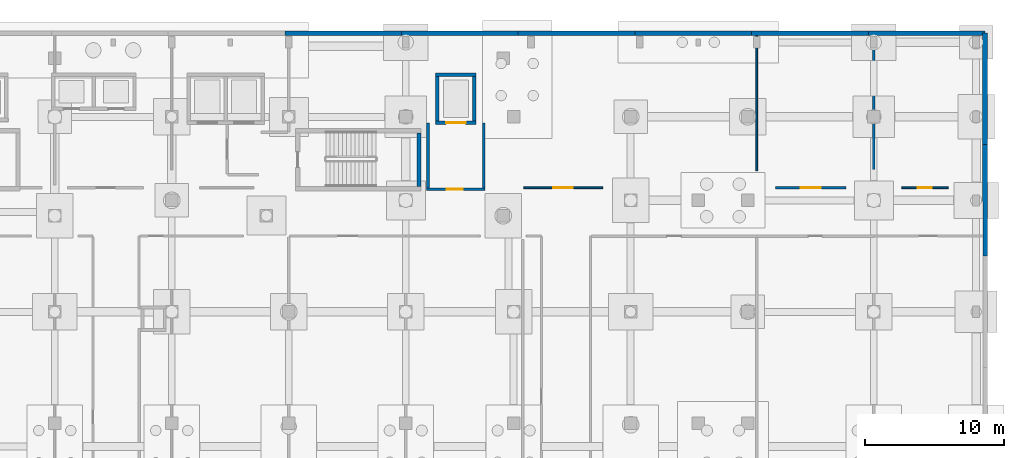
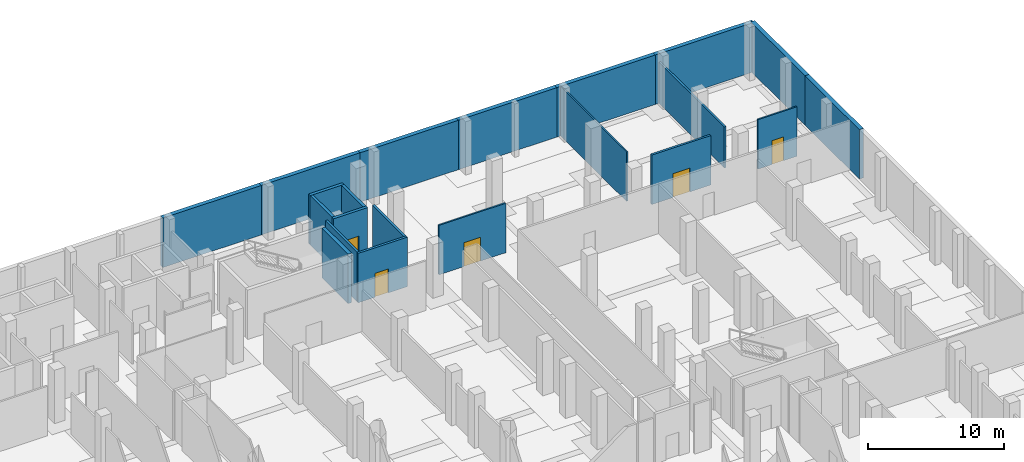
# One storey, part 38 of 45: 21 walls, 5 doors, 5 openings.
"""IFC4 building model written with IfcOpenShell, lengths in metres."""

from ifc_helpers import new_model, si_unit, direction, frame, frame_2d, origin, place, context, subcontext, project, spatial, rectangle, extrude, material, layer, layer_set, type_object, element, fill, save


model = new_model("IFC4")

# Units and contexts
model_context = context("Model", 3, precision=1e-05, world=origin(), true_north=direction((0.0, 1.0)))
body_context = subcontext(model_context, "Body", "Model", "MODEL_VIEW")
ifc_project = project(units=[si_unit("LENGTHUNIT", "METRE"), si_unit("AREAUNIT", "SQUARE_METRE"), si_unit("VOLUMEUNIT", "CUBIC_METRE"), si_unit("PLANEANGLEUNIT", "RADIAN"), si_unit("MASSUNIT", "GRAM", prefix="KILO")], contexts=[model_context])

# Site, building, storey
site_placement = place(None, origin())
site = spatial("IfcSite", under=ifc_project, at=site_placement, CompositionType="ELEMENT")
building_placement = place(site_placement, origin())
building = spatial("IfcBuilding", under=site, at=building_placement, Name="Selatvlak General Hospital", CompositionType="ELEMENT")
storey_placement = place(building_placement, frame((0.0, 0.0, -4.800048828125)))
storey = spatial("IfcBuildingStorey", under=building, at=storey_placement, Name="B1", CompositionType="ELEMENT", Elevation=-4.800048828125)

# Walls
ifc_material_1 = material(Name="Concrete C45/55", Category="concrete")
ifc_layer_1 = layer(ifc_material_1, 0.35009765625, Name="Concrete C45/55", Category="concrete")
ifc_layer_set_1 = layer_set([ifc_layer_1], Name="Concrete C45/55")
wall_type_1 = type_object("IfcWallType", Name="WALL-EW-05", PredefinedType="SHEAR", material=ifc_layer_set_1)
wall_1_placement = place(storey_placement, frame((131.714111328125, 120.0, 0.0), z_axis=(0.0, 0.0, 1.0), x_axis=(1.0, 0.0, 0.0)))
element("IfcWall", 1, at=wall_1_placement, inside=storey, type_object=wall_type_1, Name="B1 retaining wall 0024", PredefinedType="SHEAR", context=body_context, shape_type="SweptSolid", body=[
    extrude(rectangle(XDim=8.3798828125, YDim=0.35009765625, at=frame_2d((4.18994140625, 0.0))), origin(), (0.0, 0.0, 1.0), 4.449951171875),
])
wall_2_placement = place(storey_placement, frame((140.093994140625, 120.0, 0.0), z_axis=(0.0, 0.0, 1.0), x_axis=(1.0, 0.0, 0.0)))
element("IfcWall", 2, at=wall_2_placement, inside=storey, type_object=wall_type_1, Name="B1 retaining wall 0025", PredefinedType="SHEAR", context=body_context, shape_type="SweptSolid", body=[
    extrude(rectangle(XDim=8.381103515625, YDim=0.35009765625, at=frame_2d((4.1904296875, 0.0))), origin(), (0.0, 0.0, 1.0), 4.449951171875),
])
wall_3_placement = place(storey_placement, frame((148.47509765625, 120.0, 0.0), z_axis=(0.0, 0.0, 1.0), x_axis=(1.0, 0.0, 0.0)))
element("IfcWall", 3, at=wall_3_placement, inside=storey, type_object=wall_type_1, Name="B1 retaining wall 0026", PredefinedType="SHEAR", context=body_context, shape_type="SweptSolid", body=[
    extrude(rectangle(XDim=8.380859375, YDim=0.35009765625, at=frame_2d((4.1904296875, 0.0))), origin(), (0.0, 0.0, 1.0), 4.449951171875),
])
wall_4_placement = place(storey_placement, frame((156.85595703125, 120.0, 0.0), z_axis=(0.0, 0.0, 1.0), x_axis=(1.0, 0.0, 0.0)))
element("IfcWall", 4, at=wall_4_placement, inside=storey, type_object=wall_type_1, Name="B1 retaining wall 0027", PredefinedType="SHEAR", context=body_context, shape_type="SweptSolid", body=[
    extrude(rectangle(XDim=8.381103515625, YDim=0.35009765625, at=frame_2d((4.1904296875, 0.0))), origin(), (0.0, 0.0, 1.0), 4.449951171875),
])
wall_5_placement = place(storey_placement, frame((165.237060546875, 120.0, 0.0), z_axis=(0.0, 0.0, 1.0), x_axis=(1.0, 0.0, 0.0)))
element("IfcWall", 5, at=wall_5_placement, inside=storey, type_object=wall_type_1, Name="B1 retaining wall 0028", PredefinedType="SHEAR", context=body_context, shape_type="SweptSolid", body=[
    extrude(rectangle(XDim=8.380859375, YDim=0.35009765625, at=frame_2d((4.1904296875, 0.0))), origin(), (0.0, 0.0, 1.0), 4.449951171875),
])
wall_6_placement = place(storey_placement, frame((173.617919921875, 120.0, 0.0), z_axis=(0.0, 0.0, 1.0), x_axis=(1.0, 0.0, 0.0)))
element("IfcWall", 6, at=wall_6_placement, inside=storey, type_object=wall_type_1, Name="B1 retaining wall 0029", PredefinedType="SHEAR", context=body_context, shape_type="SweptSolid", body=[
    extrude(rectangle(XDim=8.381103515625, YDim=0.35009765625, at=frame_2d((4.1904296875, 0.0))), origin(), (0.0, 0.0, 1.0), 4.449951171875),
])
wall_7_placement = place(storey_placement, frame((181.9990234375, 120.0, 0.0), z_axis=(0.0, 0.0, 1.0), x_axis=(0.0, -1.0, 0.0)))
element("IfcWall", 7, at=wall_7_placement, inside=storey, type_object=wall_type_1, Name="B1 retaining wall 0030", PredefinedType="SHEAR", context=body_context, shape_type="SweptSolid", body=[
    extrude(rectangle(XDim=8.0, YDim=0.35009765625, at=frame_2d((4.0, 0.0))), origin(), (0.0, 0.0, 1.0), 4.449951171875),
])
wall_8_placement = place(storey_placement, frame((181.9990234375, 112.0, 0.0), z_axis=(0.0, 0.0, 1.0), x_axis=(0.000122085215, -0.999999992548, 0.0)))
element("IfcWall", 8, at=wall_8_placement, inside=storey, type_object=wall_type_1, Name="B1 retaining wall 0031", PredefinedType="SHEAR", context=body_context, shape_type="SweptSolid", body=[
    extrude(rectangle(XDim=7.9990234375, YDim=0.35009765625, at=frame_2d((3.99951171875, 0.0))), origin(), (0.0, 0.0, 1.0), 4.449951171875),
])

# Wall, opening, door
ifc_material_2 = material(Name="Concrete C40/50", Category="concrete")
ifc_layer_2 = layer(ifc_material_2, 0.199951171875, Name="Concrete C40/50", Category="concrete")
ifc_layer_set_2 = layer_set([ifc_layer_2], Name="Concrete C40/50")
wall_type_2 = type_object("IfcWallType", Name="WALL-IW-02", PredefinedType="SOLIDWALL", material=ifc_layer_set_2)
wall_9_placement = place(storey_placement, frame((141.89990234375, 108.800048828125, 0.0), z_axis=(0.0, 0.0, 1.0), x_axis=(1.0, 0.0, 0.0)))
wall_9 = element("IfcWall", 9, at=wall_9_placement, inside=storey, type_object=wall_type_2, Name="Firefighting lobby C4 wall B1 S", PredefinedType="SOLIDWALL", context=body_context, shape_type="SweptSolid", body=[
    extrude(rectangle(XDim=4.2001953125, YDim=0.199951171875, at=frame_2d((2.10009765625, 0.0))), origin(), (0.0, 0.0, 1.0), 4.449951171875),
])
opening_1_placement = place(wall_9_placement, frame((1.425048828125, 0.0, 0.0)))
opening_1 = element("IfcOpeningElement", 10, at=opening_1_placement, cuts=wall_9, Name="Opening D-06", PredefinedType="OPENING", context=body_context, shape_type="SweptSolid", body=[
    extrude(rectangle(XDim=1.14990234375, YDim=2.14990234375, at=frame_2d((0.574951171875, 1.074951171875))), frame((0.0, 0.10986328125, 0.0), z_axis=(0.0, -1.0, 0.0), x_axis=(1.0, 0.0, 0.0)), (0.0, 0.0, 1.0), 0.219970703125),
])
ifc_material_3 = material(Name="Firefighting lobby fire door")
door_type_1 = type_object("IfcDoorType", Name="DOOR-D-06", OperationType="NOTDEFINED", PredefinedType="DOOR", material=ifc_material_3)
door_1_placement = place(opening_1_placement, origin())
door_1 = element("IfcDoor", 11, at=door_1_placement, inside=storey, type_object=door_type_1, Name="Firefighting lobby C4 door on B1", OperationType="SINGLE_SWING_LEFT", OverallHeight=2.14990234375, OverallWidth=1.14990234375, PredefinedType="DOOR", context=body_context, shape_type="SweptSolid", body=[
    extrude(rectangle(XDim=1.14990234375, YDim=2.14990234375, at=frame_2d((0.574951171875, 1.074951171875))), frame((0.0, 0.02490234375, 0.0), z_axis=(0.0, -1.0, 0.0), x_axis=(1.0, 0.0, 0.0)), (0.0, 0.0, 1.0), 0.050048828125),
])
fill(opening_1, door_1)

# Walls
for number, where, z_axis, x_axis, name in (
    (12, (146.0, 108.89990234375, 0.0), (0.0, 0.0, 1.0), (0.0, 1.0, 0.0), "Firefighting lobby C4 wall B1 E"),
    (13, (142.0, 113.550048828125, 0.0), (0.0, 0.0, 1.0), (0.0, -1.0, 0.0), "Firefighting lobby C4 wall B1 W"),
):
    element("IfcWall", number, at=place(storey_placement, frame(where, z_axis=z_axis, x_axis=x_axis)), inside=storey, type_object=wall_type_2, Name=name, PredefinedType="SOLIDWALL", context=body_context, shape_type="SweptSolid", body=[
        extrude(rectangle(XDim=4.650146484375, YDim=0.199951171875, at=frame_2d((2.3251953125, 0.0))), origin(), (0.0, 0.0, 1.0), 4.449951171875),
    ])

# Wall, opening, door
ifc_material_4 = material(Name="Acoustic gypsum stud partition")
ifc_layer_3 = layer(ifc_material_4, 0.179931640625, Name="Acoustic gypsum stud partition")
ifc_layer_set_3 = layer_set([ifc_layer_3], Name="Acoustic gypsum stud partition")
wall_type_3 = type_object("IfcWallType", Name="WALL-PT-01", PredefinedType="PARTITIONING", material=ifc_layer_set_3)
wall_10_placement = place(storey_placement, frame((171.989013671875, 108.909912109375, 0.0), z_axis=(0.0, 0.0, 1.0), x_axis=(-1.0, 0.0, 0.0)))
wall_10 = element("IfcWall", 14, at=wall_10_placement, inside=storey, type_object=wall_type_3, Name="B1 clinical partition PT-B1-0360", PredefinedType="PARTITIONING", context=body_context, shape_type="SweptSolid", body=[
    extrude(rectangle(XDim=5.028076171875, YDim=0.179931640625, at=frame_2d((2.51416015625, 0.0))), origin(), (0.0, 0.0, 1.0), 4.449951171875),
])
opening_2_placement = place(wall_10_placement, frame((1.7890625, 0.0, 0.0)))
opening_2 = element("IfcOpeningElement", 15, at=opening_2_placement, cuts=wall_10, Name="Opening D-12", PredefinedType="OPENING", context=body_context, shape_type="SweptSolid", body=[
    extrude(rectangle(XDim=1.449951171875, YDim=2.14990234375, at=frame_2d((0.72509765625, 1.074951171875))), frame((0.0, 0.099853515625, 0.0), z_axis=(0.0, -1.0, 0.0), x_axis=(1.0, 0.0, 0.0)), (0.0, 0.0, 1.0), 0.199951171875),
])
ifc_material_5 = material(Name="Isolation anteroom door")
door_type_2 = type_object("IfcDoorType", Name="DOOR-D-12", OperationType="NOTDEFINED", PredefinedType="DOOR", material=ifc_material_5)
door_2_placement = place(opening_2_placement, origin())
door_2 = element("IfcDoor", 16, at=door_2_placement, inside=storey, type_object=door_type_2, Name="B1 Hospital Dietary Kitchen 90 door", OperationType="SINGLE_SWING_LEFT", OverallHeight=2.14990234375, OverallWidth=1.449951171875, PredefinedType="DOOR", context=body_context, shape_type="SweptSolid", body=[
    extrude(rectangle(XDim=1.449951171875, YDim=2.14990234375, at=frame_2d((0.72509765625, 1.074951171875))), frame((0.0, 0.02490234375, 0.0), z_axis=(0.0, -1.0, 0.0), x_axis=(1.0, 0.0, 0.0)), (0.0, 0.0, 1.0), 0.050048828125),
])
fill(opening_2, door_2)

# Wall
ifc_layer_4 = layer(ifc_material_4, 0.1650390625, Name="Acoustic gypsum stud partition")
ifc_layer_set_4 = layer_set([ifc_layer_4], Name="Acoustic gypsum stud partition")
wall_type_4 = type_object("IfcWallType", Name="WALL-PT-02", PredefinedType="PARTITIONING", material=ifc_layer_set_4)
wall_11_placement = place(storey_placement, frame((174.0, 119.827880859375, 0.0), z_axis=(0.0, 0.0, 1.0), x_axis=(0.0, -1.0, 0.0)))
element("IfcWall", 17, at=wall_11_placement, inside=storey, type_object=wall_type_4, Name="B1 clinical partition PT-B1-0361", PredefinedType="PARTITIONING", context=body_context, shape_type="SweptSolid", body=[
    extrude(rectangle(XDim=9.617919921875, YDim=0.1650390625, at=frame_2d((4.80908203125, 0.0))), origin(), (0.0, 0.0, 1.0), 3.699951171875),
])

# Wall, opening, door
ifc_material_6 = material(Name="Moisture-resistant clinical partition")
ifc_layer_5 = layer(ifc_material_6, 0.135009765625, Name="Moisture-resistant clinical partition")
ifc_layer_set_5 = layer_set([ifc_layer_5], Name="Moisture-resistant clinical partition")
wall_type_5 = type_object("IfcWallType", Name="WALL-PT-04", PredefinedType="PARTITIONING", material=ifc_layer_set_5)
wall_12_placement = place(storey_placement, frame((154.5390625, 108.909912109375, 0.0), z_axis=(0.0, 0.0, 1.0), x_axis=(-1.0, 0.0, 0.0)))
wall_12 = element("IfcWall", 18, at=wall_12_placement, inside=storey, type_object=wall_type_5, Name="B1 clinical partition PT-B1-0358", PredefinedType="PARTITIONING", context=body_context, shape_type="SweptSolid", body=[
    extrude(rectangle(XDim=5.66796875, YDim=0.135009765625, at=frame_2d((2.833984375, 0.0))), origin(), (0.0, 0.0, 1.0), 4.449951171875),
])
opening_3_placement = place(wall_12_placement, frame((2.134033203125, 0.0, 0.0)))
opening_3 = element("IfcOpeningElement", 19, at=opening_3_placement, cuts=wall_12, Name="Opening D-11", PredefinedType="OPENING", context=body_context, shape_type="SweptSolid", body=[
    extrude(rectangle(XDim=1.39990234375, YDim=2.14990234375, at=frame_2d((0.699951171875, 1.074951171875))), frame((0.0, 0.077392578125, 0.0), z_axis=(0.0, -1.0, 0.0), x_axis=(1.0, 0.0, 0.0)), (0.0, 0.0, 1.0), 0.155029296875),
])
ifc_material_7 = material(Name="Inpatient suite bed door")
door_type_3 = type_object("IfcDoorType", Name="DOOR-D-11", OperationType="NOTDEFINED", PredefinedType="DOOR", material=ifc_material_7)
door_3_placement = place(opening_3_placement, origin())
door_3 = element("IfcDoor", 20, at=door_3_placement, inside=storey, type_object=door_type_3, Name="B1 Central Sterile Supply Department 89 door", OperationType="SINGLE_SWING_RIGHT", OverallHeight=2.14990234375, OverallWidth=1.39990234375, PredefinedType="DOOR", context=body_context, shape_type="SweptSolid", body=[
    extrude(rectangle(XDim=1.39990234375, YDim=2.14990234375, at=frame_2d((0.699951171875, 1.074951171875))), frame((0.0, 0.02490234375, 0.0), z_axis=(0.0, -1.0, 0.0), x_axis=(1.0, 0.0, 0.0)), (0.0, 0.0, 1.0), 0.050048828125),
])
fill(opening_3, door_3)

wall_13_placement = place(storey_placement, frame((179.339111328125, 108.909912109375, 0.0), z_axis=(0.0, 0.0, 1.0), x_axis=(-1.0, 0.0, 0.0)))
wall_13 = element("IfcWall", 21, at=wall_13_placement, inside=storey, type_object=wall_type_5, Name="B1 clinical partition PT-B1-0362", PredefinedType="PARTITIONING", context=body_context, shape_type="SweptSolid", body=[
    extrude(rectangle(XDim=3.328125, YDim=0.135009765625, at=frame_2d((1.6640625, 0.0))), origin(), (0.0, 0.0, 1.0), 4.449951171875),
])
opening_4_placement = place(wall_13_placement, frame((1.1640625, 0.0, 0.0)))
opening_4 = element("IfcOpeningElement", 22, at=opening_4_placement, cuts=wall_13, Name="Opening D-21", PredefinedType="OPENING", context=body_context, shape_type="SweptSolid", body=[
    extrude(rectangle(XDim=1.0, YDim=2.14990234375, at=frame_2d((0.5, 1.074951171875))), frame((0.0, 0.077392578125, 0.0), z_axis=(0.0, -1.0, 0.0), x_axis=(1.0, 0.0, 0.0)), (0.0, 0.0, 1.0), 0.155029296875),
])
ifc_material_8 = material(Name="Laboratory fire door")
door_type_4 = type_object("IfcDoorType", Name="DOOR-D-21", OperationType="NOTDEFINED", PredefinedType="DOOR", material=ifc_material_8)
door_4_placement = place(opening_4_placement, origin())
door_4 = element("IfcDoor", 23, at=door_4_placement, inside=storey, type_object=door_type_4, Name="B1 Bulk Pharmacy Store 91 door", OperationType="SINGLE_SWING_RIGHT", OverallHeight=2.14990234375, OverallWidth=1.0, PredefinedType="DOOR", context=body_context, shape_type="SweptSolid", body=[
    extrude(rectangle(XDim=1.0, YDim=2.14990234375, at=frame_2d((0.5, 1.074951171875))), frame((0.0, 0.02490234375, 0.0), z_axis=(0.0, -1.0, 0.0), x_axis=(1.0, 0.0, 0.0)), (0.0, 0.0, 1.0), 0.050048828125),
])
fill(opening_4, door_4)

# Walls
ifc_layer_6 = layer(ifc_material_6, 0.1201171875, Name="Moisture-resistant clinical partition")
ifc_layer_set_6 = layer_set([ifc_layer_6], Name="Moisture-resistant clinical partition")
wall_type_6 = type_object("IfcWallType", Name="WALL-PT-05", PredefinedType="PARTITIONING", material=ifc_layer_set_6)
wall_14_placement = place(storey_placement, frame((165.60009765625, 119.827880859375, 0.0), z_axis=(0.0, 0.0, 1.0), x_axis=(0.0, -1.0, 0.0)))
element("IfcWall", 24, at=wall_14_placement, inside=storey, type_object=wall_type_6, Name="B1 clinical partition PT-B1-0359", PredefinedType="PARTITIONING", context=body_context, shape_type="SweptSolid", body=[
    extrude(rectangle(XDim=9.7158203125, YDim=0.1201171875, at=frame_2d((4.85791015625, 0.0))), origin(), (0.0, 0.0, 1.0), 4.449951171875),
])
ifc_layer_7 = layer(ifc_material_1, 0.300048828125, Name="Concrete C45/55", Category="concrete")
ifc_layer_set_7 = layer_set([ifc_layer_7], Name="Concrete C45/55")
wall_type_7 = type_object("IfcWallType", Name="WALL-SW-02", PredefinedType="SHEAR", material=ifc_layer_set_7)
wall_15_placement = place(storey_placement, frame((141.360107421875, 108.989990234375, 0.0), z_axis=(0.0, 0.0, 1.0), x_axis=(0.0, 1.0, 0.0)))
element("IfcWall", 25, at=wall_15_placement, inside=storey, type_object=wall_type_7, Name="ST-04 core shear wall B1 E", PredefinedType="SHEAR", context=body_context, shape_type="SweptSolid", body=[
    extrude(rectangle(XDim=3.860107421875, YDim=0.300048828125, at=frame_2d((1.93017578125, 0.0))), origin(), (0.0, 0.0, 1.0), 4.449951171875),
])

# Wall, opening, door
ifc_layer_8 = layer(ifc_material_2, 0.25, Name="Concrete C40/50", Category="concrete")
ifc_layer_set_8 = layer_set([ifc_layer_8], Name="Concrete C40/50")
wall_type_8 = type_object("IfcWallType", Name="WALL-SW-03", PredefinedType="SHEAR", material=ifc_layer_set_8)
wall_16_placement = place(storey_placement, frame((142.550048828125, 113.574951171875, 0.0), z_axis=(0.0, 0.0, 1.0), x_axis=(1.0, 0.0, 0.0)))
wall_16 = element("IfcWall", 26, at=wall_16_placement, inside=storey, type_object=wall_type_8, Name="Lift LF-03 shaft wall B1 S", PredefinedType="SHEAR", context=body_context, shape_type="SweptSolid", body=[
    extrude(rectangle(XDim=2.89990234375, YDim=0.25, at=frame_2d((1.449951171875, 0.0))), origin(), (0.0, 0.0, 1.0), 4.449951171875),
])
opening_5_placement = place(wall_16_placement, frame((0.75, 0.0, 0.0)))
opening_5 = element("IfcOpeningElement", 27, at=opening_5_placement, cuts=wall_16, Name="Opening LD-F1", PredefinedType="OPENING", context=body_context, shape_type="SweptSolid", body=[
    extrude(rectangle(XDim=1.39990234375, YDim=2.14990234375, at=frame_2d((0.699951171875, 1.074951171875))), frame((0.0, 0.135009765625, 0.0), z_axis=(0.0, -1.0, 0.0), x_axis=(1.0, 0.0, 0.0)), (0.0, 0.0, 1.0), 0.27001953125),
])
ifc_material_9 = material(Name="Stainless steel fire lift landing door", Category="steel")
door_type_5 = type_object("IfcDoorType", Name="DOOR-LD-F1", OperationType="DOUBLE_DOOR_SLIDING", PredefinedType="DOOR", material=ifc_material_9)
door_5_placement = place(opening_5_placement, origin())
door_5 = element("IfcDoor", 28, at=door_5_placement, inside=storey, type_object=door_type_5, Name="Lift LF-03 sliding landing door on B1", OperationType="DOUBLE_DOOR_SLIDING", OverallHeight=2.14990234375, OverallWidth=1.39990234375, PredefinedType="DOOR", context=body_context, shape_type="SweptSolid", body=[
    extrude(rectangle(XDim=1.39990234375, YDim=2.14990234375, at=frame_2d((0.699951171875, 1.074951171875))), frame((0.0, 0.02490234375, 0.0), z_axis=(0.0, -1.0, 0.0), x_axis=(1.0, 0.0, 0.0)), (0.0, 0.0, 1.0), 0.050048828125),
])
fill(opening_5, door_5)

# Walls
wall_17_placement = place(storey_placement, frame((145.324951171875, 113.699951171875, 0.0), z_axis=(0.0, 0.0, 1.0), x_axis=(0.0, 1.0, 0.0)))
element("IfcWall", 29, at=wall_17_placement, inside=storey, type_object=wall_type_8, Name="Lift LF-03 shaft wall B1 E", PredefinedType="SHEAR", context=body_context, shape_type="SweptSolid", body=[
    extrude(rectangle(XDim=3.199951171875, YDim=0.25, at=frame_2d((1.60009765625, 0.0))), origin(), (0.0, 0.0, 1.0), 4.449951171875),
])
wall_18_placement = place(storey_placement, frame((145.449951171875, 117.02490234375, 0.0), z_axis=(0.0, 0.0, 1.0), x_axis=(-1.0, 0.0, 0.0)))
element("IfcWall", 30, at=wall_18_placement, inside=storey, type_object=wall_type_8, Name="Lift LF-03 shaft wall B1 N", PredefinedType="SHEAR", context=body_context, shape_type="SweptSolid", body=[
    extrude(rectangle(XDim=2.89990234375, YDim=0.25, at=frame_2d((1.449951171875, 0.0))), origin(), (0.0, 0.0, 1.0), 4.449951171875),
])
wall_19_placement = place(storey_placement, frame((142.675048828125, 116.89990234375, 0.0), z_axis=(0.0, 0.0, 1.0), x_axis=(0.0, -1.0, 0.0)))
element("IfcWall", 31, at=wall_19_placement, inside=storey, type_object=wall_type_8, Name="Lift LF-03 shaft wall B1 W", PredefinedType="SHEAR", context=body_context, shape_type="SweptSolid", body=[
    extrude(rectangle(XDim=3.199951171875, YDim=0.25, at=frame_2d((1.60009765625, 0.0))), origin(), (0.0, 0.0, 1.0), 4.449951171875),
])

save(model, "model.ifc")
